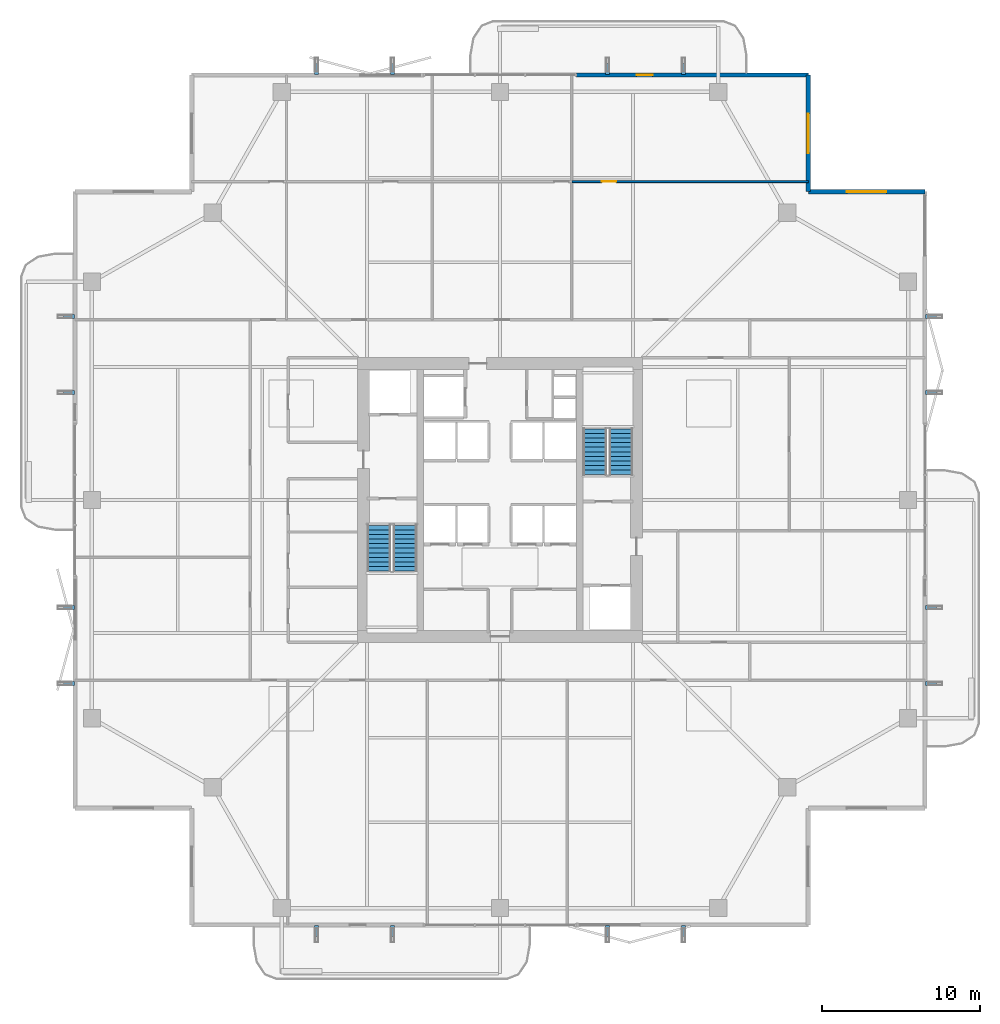
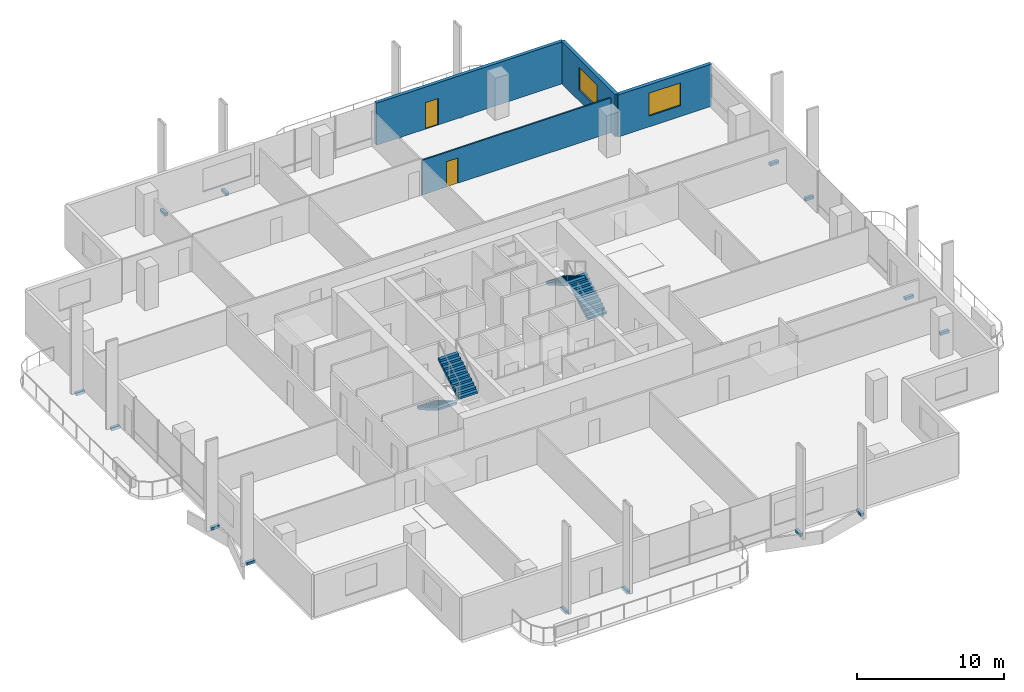
# One storey, part 20 of 24: 16 discrete accessories, 4 stair flights, 4 walls, 2 doors, 2 windows, 4 openings, 2 elements without a shape of their own.
"""IFC4 building model written with IfcOpenShell, lengths in metres."""

from ifc_helpers import new_model, si_unit, direction, frame, frame_2d, origin, origin_2d, place, context, subcontext, project, spatial, polyline, rectangle, outline, extrude, material, layer, layer_set, type_object, element, fill, aggregate, save


model = new_model("IFC4")

# Units and contexts
model_context = context("Model", 3, precision=1e-05, world=origin(), true_north=direction((0.0, 1.0)))
body_context = subcontext(model_context, "Body", "Model", "MODEL_VIEW")
ifc_project = project(units=[si_unit("LENGTHUNIT", "METRE"), si_unit("AREAUNIT", "SQUARE_METRE"), si_unit("VOLUMEUNIT", "CUBIC_METRE"), si_unit("PLANEANGLEUNIT", "RADIAN"), si_unit("MASSUNIT", "GRAM", prefix="KILO")], contexts=[model_context])

# Site, building, storey
site_placement = place(None, origin())
site = spatial("IfcSite", under=ifc_project, at=site_placement, CompositionType="ELEMENT")
building_placement = place(site_placement, origin())
building = spatial("IfcBuilding", under=site, at=building_placement, Name="Belovzor Exchange Tower", CompositionType="ELEMENT")
storey_placement = place(building_placement, frame((0.0, 0.0, 218.699951171875)))
storey = spatial("IfcBuildingStorey", under=building, at=storey_placement, Name="L54", CompositionType="ELEMENT", Elevation=218.699951171875)

# Wall, opening, door
ifc_material_1 = material(Name="Acoustic Plasterboard on Galvanised Studs", Category="gypsum")
ifc_layer_1 = layer(ifc_material_1, 0.1201171875)
ifc_layer_set_1 = layer_set([ifc_layer_1], Name="Acoustic Plasterboard on Galvanised Studs")
wall_type_1 = type_object("IfcWallType", Name="Acoustic Double-Stud Partition Wall 120", PredefinedType="PARTITIONING", material=ifc_layer_set_1)
wall_1_placement = place(storey_placement, frame((33.339111328125, 48.93505859375, 0.0), z_axis=(0.0, 0.0, 1.0), x_axis=(1.0, 0.0, 0.0)))
wall_1 = element("IfcWall", 1, at=wall_1_placement, inside=storey, type_object=wall_type_1, Name="W-P120 Partition Wall W-L54-NHDIV-3", PredefinedType="PARTITIONING", context=body_context, shape_type="SweptSolid", body=[
    extrude(rectangle(XDim=14.9609375, YDim=0.1201171875, at=frame_2d((7.48046875, 0.0))), origin(), (0.0, 0.0, 1.0), 2.885009765625),
])
opening_1_placement = place(wall_1_placement, frame((1.907958984375, 0.0, 0.0)))
opening_1 = element("IfcOpeningElement", 2, at=opening_1_placement, cuts=wall_1, Name="Opening D-INT-090", PredefinedType="OPENING", context=body_context, shape_type="SweptSolid", body=[
    extrude(rectangle(XDim=0.89990234375, YDim=2.10009765625, at=frame_2d((0.449951171875, 1.050048828125))), frame((0.0, 0.070068359375, 0.0), z_axis=(0.0, -1.0, 0.0), x_axis=(1.0, 0.0, 0.0)), (0.0, 0.0, 1.0), 0.14013671875),
])
ifc_material_2 = material(Name="Veneered Hardwood Acoustic Leaf", Category="wood")
door_type_1 = type_object("IfcDoorType", Name="Trading Suite Acoustic Single Door 900x2100", OperationType="NOTDEFINED", PredefinedType="DOOR", material=ifc_material_2)
door_1_placement = place(opening_1_placement, origin())
door_1 = element("IfcDoor", 3, at=door_1_placement, inside=storey, type_object=door_type_1, Name="D-INT-090 Trading Suite Acoustic Single Door 900x2100", OperationType="SINGLE_SWING_RIGHT", OverallHeight=2.10009765625, OverallWidth=0.89990234375, PredefinedType="DOOR", context=body_context, shape_type="SweptSolid", body=[
    extrude(rectangle(XDim=0.89990234375, YDim=2.10009765625, at=frame_2d((0.449951171875, 1.050048828125))), frame((0.0, 0.02490234375, 0.0), z_axis=(0.0, -1.0, 0.0), x_axis=(1.0, 0.0, 0.0)), (0.0, 0.0, 1.0), 0.050048828125),
])
fill(opening_1, door_1)

# Wall, opening, window
ifc_material_3 = material(Name="Precast concrete C40/50", Category="concrete")
ifc_layer_2 = layer(ifc_material_3, 0.280029296875)
ifc_layer_set_2 = layer_set([ifc_layer_2], Name="Precast concrete C40/50")
wall_type_2 = type_object("IfcWallType", Name="Precast Concrete Notched Corner Frame Wall 280", PredefinedType="SOLIDWALL", material=ifc_layer_set_2)
wall_2_placement = place(storey_placement, frame((48.300048828125, 55.669921875, 0.0), z_axis=(0.0, 0.0, 1.0), x_axis=(0.0, -1.0, 0.0)))
wall_2 = element("IfcWall", 4, at=wall_2_placement, inside=storey, type_object=wall_type_2, Name="W-CRN280 Precast Concrete Notched Corner Frame Wall 280 L54", PredefinedType="SOLIDWALL", context=body_context, shape_type="SweptSolid", body=[
    extrude(rectangle(XDim=7.369873046875, YDim=0.280029296875, at=frame_2d((3.68505859375, 0.0))), origin(), (0.0, 0.0, 1.0), 3.5),
])
opening_2_placement = place(wall_2_placement, frame((2.43505859375, 0.0, 0.89990234375)))
opening_2 = element("IfcOpeningElement", 5, at=opening_2_placement, cuts=wall_2, Name="Opening WN-CRN250", PredefinedType="OPENING", context=body_context, shape_type="SweptSolid", body=[
    extrude(rectangle(XDim=2.5, YDim=1.89990234375, at=frame_2d((1.25, 0.949951171875))), frame((0.0, 0.14990234375, 0.0), z_axis=(0.0, -1.0, 0.0), x_axis=(1.0, 0.0, 0.0)), (0.0, 0.0, 1.0), 0.300048828125),
])
ifc_material_4 = material(Name="Thermally Broken Aluminium and Triple Glazing", Category="aluminium")
window_type = type_object("IfcWindowType", Name="Streamline Moderne Corner Wrap Ribbon Window 2500x1900", PartitioningType="SINGLE_PANEL", PredefinedType="WINDOW", material=ifc_material_4)
window_1_placement = place(opening_2_placement, origin())
window_1 = element("IfcWindow", 6, at=window_1_placement, inside=storey, type_object=window_type, Name="WN-CRN250 Streamline Moderne Corner Wrap Ribbon Window 2500x1900", OverallHeight=1.89990234375, OverallWidth=2.5, PartitioningType="SINGLE_PANEL", PredefinedType="WINDOW", context=body_context, shape_type="SweptSolid", body=[
    extrude(rectangle(XDim=2.5, YDim=1.89990234375, at=frame_2d((1.25, 0.949951171875))), frame((0.0, 0.030029296875, 0.0), z_axis=(0.0, -1.0, 0.0), x_axis=(1.0, 0.0, 0.0)), (0.0, 0.0, 1.0), 0.06005859375),
])
fill(opening_2, window_1)

wall_3_placement = place(storey_placement, frame((48.300048828125, 48.300048828125, 0.0), z_axis=(0.0, 0.0, 1.0), x_axis=(1.0, 0.0, 0.0)))
wall_3 = element("IfcWall", 7, at=wall_3_placement, inside=storey, type_object=wall_type_2, Name="W-CRN280 Precast Concrete Notched Corner Frame Wall 280 L54", PredefinedType="SOLIDWALL", context=body_context, shape_type="SweptSolid", body=[
    extrude(rectangle(XDim=7.369873046875, YDim=0.280029296875, at=frame_2d((3.68505859375, 0.0))), origin(), (0.0, 0.0, 1.0), 3.5),
])
opening_3_placement = place(wall_3_placement, frame((2.43505859375, 0.0, 0.89990234375)))
opening_3 = element("IfcOpeningElement", 8, at=opening_3_placement, cuts=wall_3, Name="Opening WN-CRN250", PredefinedType="OPENING", context=body_context, shape_type="SweptSolid", body=[
    extrude(rectangle(XDim=2.5, YDim=1.89990234375, at=frame_2d((1.25, 0.949951171875))), frame((0.0, 0.14990234375, 0.0), z_axis=(0.0, -1.0, 0.0), x_axis=(1.0, 0.0, 0.0)), (0.0, 0.0, 1.0), 0.300048828125),
])
window_2_placement = place(opening_3_placement, origin())
window_2 = element("IfcWindow", 9, at=window_2_placement, inside=storey, type_object=window_type, Name="WN-CRN250 Streamline Moderne Corner Wrap Ribbon Window 2500x1900", OverallHeight=1.89990234375, OverallWidth=2.5, PartitioningType="SINGLE_PANEL", PredefinedType="WINDOW", context=body_context, shape_type="SweptSolid", body=[
    extrude(rectangle(XDim=2.5, YDim=1.89990234375, at=frame_2d((1.25, 0.949951171875))), frame((0.0, 0.030029296875, 0.0), z_axis=(0.0, -1.0, 0.0), x_axis=(1.0, 0.0, 0.0)), (0.0, 0.0, 1.0), 0.06005859375),
])
fill(opening_3, window_2)

# Wall, opening, door
ifc_material_5 = material(Name="Precast concrete C40/50", Category="concrete")
ifc_layer_3 = layer(ifc_material_5, 0.260009765625)
ifc_layer_set_3 = layer_set([ifc_layer_3], Name="Precast concrete C40/50")
wall_type_3 = type_object("IfcWallType", Name="Precast Concrete Perimeter Loggia Frame Wall 260", PredefinedType="SOLIDWALL", material=ifc_layer_set_3)
wall_4_placement = place(storey_placement, frame((33.60009765625, 55.669921875, 0.0), z_axis=(0.0, 0.0, 1.0), x_axis=(1.0, 0.0, 0.0)))
wall_4 = element("IfcWall", 10, at=wall_4_placement, inside=storey, type_object=wall_type_3, Name="W-EXT260 Precast Concrete Perimeter Loggia Frame Wall 260 L54", PredefinedType="SOLIDWALL", context=body_context, shape_type="SweptSolid", body=[
    extrude(rectangle(XDim=14.699951171875, YDim=0.260009765625, at=frame_2d((7.35009765625, 0.0))), origin(), (0.0, 0.0, 1.0), 3.5),
])
opening_4_placement = place(wall_4_placement, frame((3.845947265625, 0.0, 0.0)))
opening_4 = element("IfcOpeningElement", 11, at=opening_4_placement, cuts=wall_4, Name="Opening D-BAL100", PredefinedType="OPENING", context=body_context, shape_type="SweptSolid", body=[
    extrude(rectangle(XDim=1.0, YDim=2.199951171875, at=frame_2d((0.5, 1.10009765625))), frame((0.0, 0.139892578125, 0.0), z_axis=(0.0, -1.0, 0.0), x_axis=(1.0, 0.0, 0.0)), (0.0, 0.0, 1.0), 0.280029296875),
])
ifc_material_6 = material(Name="Thermally Broken Anodised Aluminium and Laminated Glass", Category="aluminium")
door_type_2 = type_object("IfcDoorType", Name="Planted Loggia Terrace Glazed Door 1000x2200", OperationType="SINGLE_SWING_LEFT", PredefinedType="DOOR", material=ifc_material_6)
door_2_placement = place(opening_4_placement, origin())
door_2 = element("IfcDoor", 12, at=door_2_placement, inside=storey, type_object=door_type_2, Name="D-BAL100 Balcony Terrace Door L54 N", OperationType="SINGLE_SWING_RIGHT", OverallHeight=2.199951171875, OverallWidth=1.0, PredefinedType="DOOR", context=body_context, shape_type="SweptSolid", body=[
    extrude(rectangle(XDim=1.0, YDim=2.199951171875, at=frame_2d((0.5, 1.10009765625))), frame((0.0, 0.02490234375, 0.0), z_axis=(0.0, -1.0, 0.0), x_axis=(1.0, 0.0, 0.0)), (0.0, 0.0, 1.0), 0.050048828125),
])
fill(opening_4, door_2)

# Stair, stair flights
ifc_material_7 = material(Name="Concrete C40/50", Category="concrete")
stair_type = type_object("IfcStairType", Name="Reinforced Concrete Dogleg Escape Stair 1350", PredefinedType="HALF_TURN_STAIR", material=ifc_material_7)
stair_1_placement = place(storey_placement, origin())
stair_1 = element("IfcStair", 13, at=stair_1_placement, inside=storey, type_object=stair_type, Name="L54 ST-1", PredefinedType="HALF_TURN_STAIR")
ifc_material_8 = material(Name="Concrete C40/50", Category="concrete")
stair_flight_type = type_object("IfcStairFlightType", Name="Reinforced Concrete Stair Flight 1350", PredefinedType="STRAIGHT", material=ifc_material_8)
stair_flight_1_placement = place(storey_placement, frame((21.14990234375, 27.199951171875, 0.0), z_axis=(0.0, 0.0, 1.0), x_axis=(0.0, -1.0, 0.0)))
stair_flight_1 = element("IfcStairFlight", 14, at=stair_flight_1_placement, type_object=stair_flight_type, Name="ST-1 flight 1", NumberOfRisers=11, NumberOfTreads=10, PredefinedType="STRAIGHT", RiserHeight=0.170454545, TreadLength=0.29, context=body_context, shape_type="SweptSolid", body=[
    extrude(outline(polyline([(0.0, 0.0), (0.0, 0.17041015625), (0.2900390625, 0.17041015625), (0.2900390625, 0.3408203125), (0.580078125, 0.3408203125), (0.580078125, 0.511474609375), (0.8701171875, 0.511474609375), (0.8701171875, 0.681884765625), (1.159912109375, 0.681884765625), (1.159912109375, 0.852294921875), (1.449951171875, 0.852294921875), (1.449951171875, 1.022705078125), (1.739990234375, 1.022705078125), (1.739990234375, 1.193115234375), (2.030029296875, 1.193115234375), (2.030029296875, 1.363525390625), (2.320068359375, 1.363525390625), (2.320068359375, 1.5341796875), (2.610107421875, 1.5341796875), (2.610107421875, 1.70458984375), (2.89990234375, 1.70458984375), (2.89990234375, 1.875), (2.89990234375, 1.53076171875), (0.2958984375, 0.0), (0.0, 0.0)])), frame((0.0, 0.75, 0.0), z_axis=(0.0, -1.0, 0.0), x_axis=(1.0, 0.0, 0.0)), (0.0, 0.0, 1.0), 1.5),
])
stair_flight_2_placement = place(storey_placement, frame((22.800048828125, 24.300048828125, 1.875), z_axis=(0.0, 0.0, 1.0), x_axis=(0.0, 1.0, 0.0)))
stair_flight_2 = element("IfcStairFlight", 15, at=stair_flight_2_placement, type_object=stair_flight_type, Name="ST-1 flight 2", NumberOfRisers=11, NumberOfTreads=10, PredefinedType="STRAIGHT", RiserHeight=0.170454545, TreadLength=0.29, context=body_context, shape_type="SweptSolid", body=[
    extrude(outline(polyline([(0.0, 0.0), (0.0, 0.17041015625), (0.2900390625, 0.17041015625), (0.2900390625, 0.3408203125), (0.580078125, 0.3408203125), (0.580078125, 0.511474609375), (0.8701171875, 0.511474609375), (0.8701171875, 0.681884765625), (1.159912109375, 0.681884765625), (1.159912109375, 0.852294921875), (1.449951171875, 0.852294921875), (1.449951171875, 1.022705078125), (1.739990234375, 1.022705078125), (1.739990234375, 1.193115234375), (2.030029296875, 1.193115234375), (2.030029296875, 1.363525390625), (2.320068359375, 1.363525390625), (2.320068359375, 1.5341796875), (2.610107421875, 1.5341796875), (2.610107421875, 1.70458984375), (2.89990234375, 1.70458984375), (2.89990234375, 1.875), (2.89990234375, 1.53076171875), (0.2958984375, 0.0), (0.0, 0.0)])), frame((0.0, 0.75, 0.0), z_axis=(0.0, -1.0, 0.0), x_axis=(1.0, 0.0, 0.0)), (0.0, 0.0, 1.0), 1.5),
])
aggregate(stair_1, [stair_flight_1, stair_flight_2])

stair_2_placement = place(storey_placement, origin())
stair_2 = element("IfcStair", 16, at=stair_2_placement, inside=storey, type_object=stair_type, Name="L54 ST-2", PredefinedType="HALF_TURN_STAIR")
stair_flight_3_placement = place(storey_placement, frame((36.449951171875, 30.39990234375, 0.0), z_axis=(0.0, 0.0, 1.0), x_axis=(0.0, 1.0, 0.0)))
stair_flight_3 = element("IfcStairFlight", 17, at=stair_flight_3_placement, type_object=stair_flight_type, Name="ST-2 flight 1", NumberOfRisers=11, NumberOfTreads=10, PredefinedType="STRAIGHT", RiserHeight=0.170454545, TreadLength=0.29, context=body_context, shape_type="SweptSolid", body=[
    extrude(outline(polyline([(0.0, 0.0), (0.0, 0.17041015625), (0.2900390625, 0.17041015625), (0.2900390625, 0.3408203125), (0.580078125, 0.3408203125), (0.580078125, 0.511474609375), (0.8701171875, 0.511474609375), (0.8701171875, 0.681884765625), (1.159912109375, 0.681884765625), (1.159912109375, 0.852294921875), (1.449951171875, 0.852294921875), (1.449951171875, 1.022705078125), (1.739990234375, 1.022705078125), (1.739990234375, 1.193115234375), (2.030029296875, 1.193115234375), (2.030029296875, 1.363525390625), (2.320068359375, 1.363525390625), (2.320068359375, 1.5341796875), (2.610107421875, 1.5341796875), (2.610107421875, 1.70458984375), (2.89990234375, 1.70458984375), (2.89990234375, 1.875), (2.89990234375, 1.53076171875), (0.2958984375, 0.0), (0.0, 0.0)])), frame((0.0, 0.75, 0.0), z_axis=(0.0, -1.0, 0.0), x_axis=(1.0, 0.0, 0.0)), (0.0, 0.0, 1.0), 1.5),
])
stair_flight_4_placement = place(storey_placement, frame((34.800048828125, 33.300048828125, 1.875), z_axis=(0.0, 0.0, 1.0), x_axis=(0.0, -1.0, 0.0)))
stair_flight_4 = element("IfcStairFlight", 18, at=stair_flight_4_placement, type_object=stair_flight_type, Name="ST-2 flight 2", NumberOfRisers=11, NumberOfTreads=10, PredefinedType="STRAIGHT", RiserHeight=0.170454545, TreadLength=0.29, context=body_context, shape_type="SweptSolid", body=[
    extrude(outline(polyline([(0.0, 0.0), (0.0, 0.17041015625), (0.2900390625, 0.17041015625), (0.2900390625, 0.3408203125), (0.580078125, 0.3408203125), (0.580078125, 0.511474609375), (0.8701171875, 0.511474609375), (0.8701171875, 0.681884765625), (1.159912109375, 0.681884765625), (1.159912109375, 0.852294921875), (1.449951171875, 0.852294921875), (1.449951171875, 1.022705078125), (1.739990234375, 1.022705078125), (1.739990234375, 1.193115234375), (2.030029296875, 1.193115234375), (2.030029296875, 1.363525390625), (2.320068359375, 1.363525390625), (2.320068359375, 1.5341796875), (2.610107421875, 1.5341796875), (2.610107421875, 1.70458984375), (2.89990234375, 1.70458984375), (2.89990234375, 1.875), (2.89990234375, 1.53076171875), (0.2958984375, 0.0), (0.0, 0.0)])), frame((0.0, 0.75, 0.0), z_axis=(0.0, -1.0, 0.0), x_axis=(1.0, 0.0, 0.0)), (0.0, 0.0, 1.0), 1.5),
])
aggregate(stair_2, [stair_flight_3, stair_flight_4])

# Discrete accessories
ifc_material_9 = material(Name="Stainless Steel Grade 316", Category="steel")
ifc_layer_4 = layer(ifc_material_9, 0.179931640625)
ifc_layer_set_4 = layer_set([ifc_layer_4], Name="Stainless Steel Grade 316")
discrete_accessory_type = type_object("IfcDiscreteAccessoryType", Name="Stainless Steel Facade Outrigger Fixing Bracket", PredefinedType="BRACKET", material=ifc_layer_set_4)
for number, where, z_axis, x_axis, name in (
    (19, (17.199951171875, 1.5380859375, -0.2451171875), (0.0, 0.0, 1.0), (0.0, 1.0, 0.0), "BRK-FIN1 Sweeping Fin Outrigger Bracket L54 S1"),
    (20, (17.199951171875, 56.06201171875, -0.2451171875), (0.0, 0.0, 1.0), (0.0, 1.0, 0.0), "BRK-FIN1 Sweeping Fin Outrigger Bracket L54 N1"),
    (21, (1.5380859375, 17.199951171875, -0.2451171875), (0.0, 0.0, 1.0), (1.0, 0.0, 0.0), "BRK-FIN1 Sweeping Fin Outrigger Bracket L54 W1"),
    (22, (56.06201171875, 17.199951171875, -0.2451171875), (0.0, 0.0, 1.0), (1.0, 0.0, 0.0), "BRK-FIN1 Sweeping Fin Outrigger Bracket L54 E1"),
    (23, (22.0, 1.5380859375, -0.2451171875), (0.0, 0.0, 1.0), (0.0, 1.0, 0.0), "BRK-FIN1 Sweeping Fin Outrigger Bracket L54 S2"),
    (24, (22.0, 56.06201171875, -0.2451171875), (0.0, 0.0, 1.0), (0.0, 1.0, 0.0), "BRK-FIN1 Sweeping Fin Outrigger Bracket L54 N2"),
    (25, (1.5380859375, 22.0, -0.2451171875), (0.0, 0.0, 1.0), (1.0, 0.0, 0.0), "BRK-FIN1 Sweeping Fin Outrigger Bracket L54 W2"),
    (26, (56.06201171875, 22.0, -0.2451171875), (0.0, 0.0, 1.0), (1.0, 0.0, 0.0), "BRK-FIN1 Sweeping Fin Outrigger Bracket L54 E2"),
    (27, (35.60009765625, 1.5380859375, -0.2451171875), (0.0, 0.0, 1.0), (0.0, 1.0, 0.0), "BRK-FIN1 Sweeping Fin Outrigger Bracket L54 S3"),
    (28, (35.60009765625, 56.06201171875, -0.2451171875), (0.0, 0.0, 1.0), (0.0, 1.0, 0.0), "BRK-FIN1 Sweeping Fin Outrigger Bracket L54 N3"),
    (29, (1.5380859375, 35.60009765625, -0.2451171875), (0.0, 0.0, 1.0), (1.0, 0.0, 0.0), "BRK-FIN1 Sweeping Fin Outrigger Bracket L54 W3"),
    (30, (56.06201171875, 35.60009765625, -0.2451171875), (0.0, 0.0, 1.0), (1.0, 0.0, 0.0), "BRK-FIN1 Sweeping Fin Outrigger Bracket L54 E3"),
    (31, (40.39990234375, 1.5380859375, -0.2451171875), (0.0, 0.0, 1.0), (0.0, 1.0, 0.0), "BRK-FIN1 Sweeping Fin Outrigger Bracket L54 S4"),
    (32, (40.39990234375, 56.06201171875, -0.2451171875), (0.0, 0.0, 1.0), (0.0, 1.0, 0.0), "BRK-FIN1 Sweeping Fin Outrigger Bracket L54 N4"),
    (33, (1.5380859375, 40.39990234375, -0.2451171875), (0.0, 0.0, 1.0), (1.0, 0.0, 0.0), "BRK-FIN1 Sweeping Fin Outrigger Bracket L54 W4"),
    (34, (56.06201171875, 40.39990234375, -0.2451171875), (0.0, 0.0, 1.0), (1.0, 0.0, 0.0), "BRK-FIN1 Sweeping Fin Outrigger Bracket L54 E4"),
):
    element("IfcDiscreteAccessory", number, at=place(storey_placement, frame(where, z_axis=z_axis, x_axis=x_axis)), inside=storey, type_object=discrete_accessory_type, Name=name, PredefinedType="BRACKET", context=body_context, shape_type="SweptSolid", body=[
        extrude(rectangle(XDim=0.68505859375, YDim=0.239990234375, at=origin_2d()), origin(), (0.0, 0.0, 1.0), 0.239990234375),
    ])

save(model, "model.ifc")
